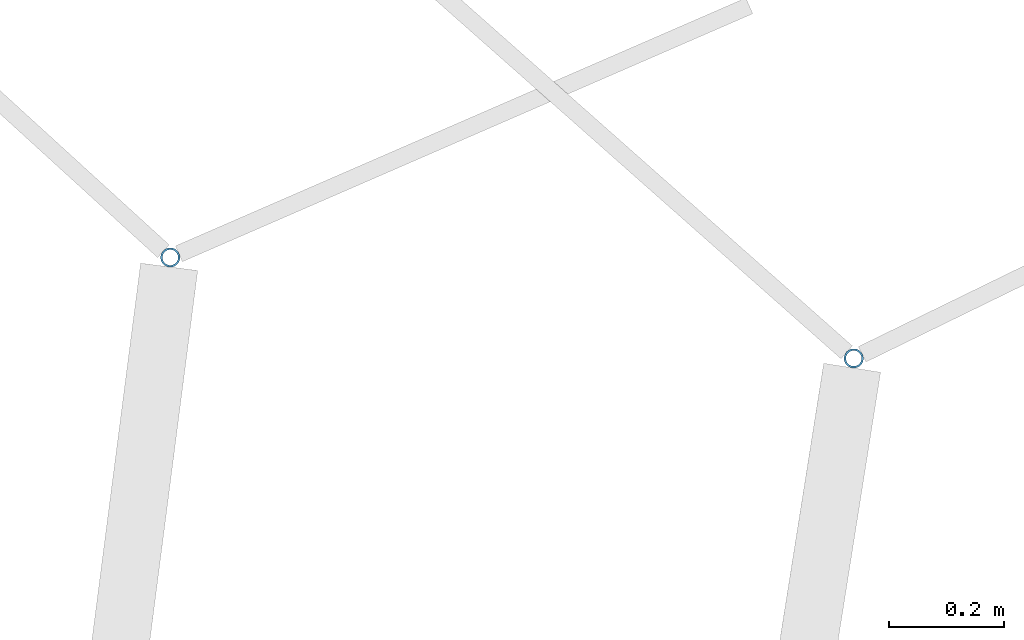
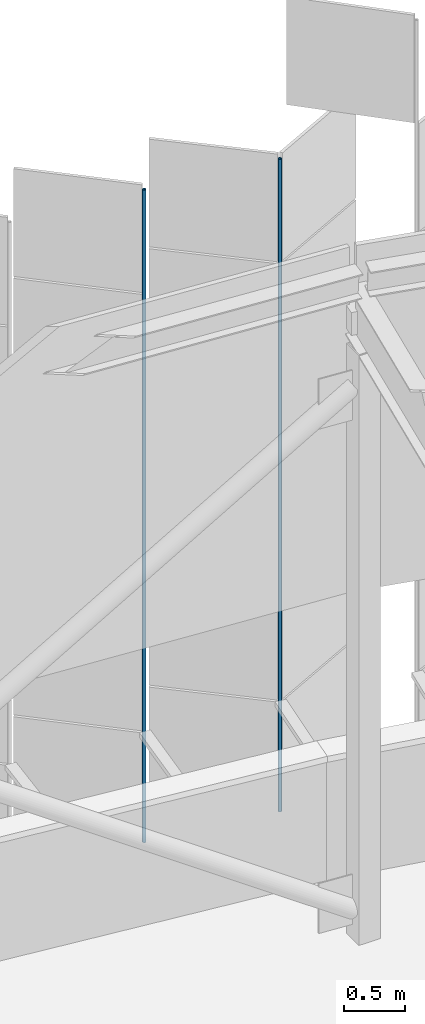
# One storey, part 394 of 483: 2 discrete accessories.
"""IFC4 building model written with IfcOpenShell, lengths in metres."""

from ifc_helpers import new_model, si_unit, direction, frame, origin, origin_2d, place, context, subcontext, project, spatial, hollow_circle, extrude, material, material_profile, profile_set, type_object, element, save


model = new_model("IFC4")

# Units and contexts
model_context = context("Model", 3, precision=1e-05, world=origin(), true_north=direction((0.0, 1.0)))
body_context = subcontext(model_context, "Body", "Model", "MODEL_VIEW")
ifc_project = project(units=[si_unit("LENGTHUNIT", "METRE"), si_unit("AREAUNIT", "SQUARE_METRE"), si_unit("VOLUMEUNIT", "CUBIC_METRE"), si_unit("PLANEANGLEUNIT", "RADIAN"), si_unit("MASSUNIT", "GRAM", prefix="KILO")], contexts=[model_context])

# Site, building, storey
site_placement = place(None, origin())
site = spatial("IfcSite", under=ifc_project, at=site_placement, CompositionType="ELEMENT")
building_placement = place(site_placement, origin())
building = spatial("IfcBuilding", under=site, at=building_placement, Name="Parallax Yard Mobility Hub", CompositionType="ELEMENT")
storey_placement = place(building_placement, frame((0.0, 0.0, 13.199951171875)))
storey = spatial("IfcBuildingStorey", under=building, at=storey_placement, Name="L04", CompositionType="ELEMENT", Elevation=13.199951171875)

# Discrete accessories
ifc_material = material(Name="Steel ASTM A500 Gr C, hot-dip galvanised", Category="steel")
ifc_material_profile = material_profile(ifc_material, hollow_circle(Radius=0.016845703125, WallThickness=0.003173828125, at=origin_2d()), Name="CHS 33.7x3.2")
ifc_profile_set = profile_set([ifc_material_profile], Name="Steel ASTM A500 Gr C, hot-dip galvanised")
discrete_accessory_type = type_object("IfcDiscreteAccessoryType", Name="Hinge post CHS 33.7x3.2", PredefinedType="BRACKET", material=ifc_profile_set)
for number, where, z_axis, x_axis, name in (
    (1, (180.84130859375, 142.662109375, 0.0), (0.0, 0.0, 1.0), (1.0, 0.0, 0.0), "Hinge post bay 50.1 level L04"),
    (2, (179.654541015625, 142.83740234375, 0.0), (0.0, 0.0, 1.0), (1.0, 0.0, 0.0), "Hinge post bay 50.2 level L04"),
):
    element("IfcDiscreteAccessory", number, at=place(storey_placement, frame(where, z_axis=z_axis, x_axis=x_axis)), inside=storey, type_object=discrete_accessory_type, Name=name, PredefinedType="BRACKET", context=body_context, shape_type="SweptSolid", body=[
        extrude(hollow_circle(Radius=0.016845703125, WallThickness=0.003173828125, at=origin_2d()), origin(), (0.0, 0.0, 1.0), 6.550048828125),
    ])

save(model, "model.ifc")
